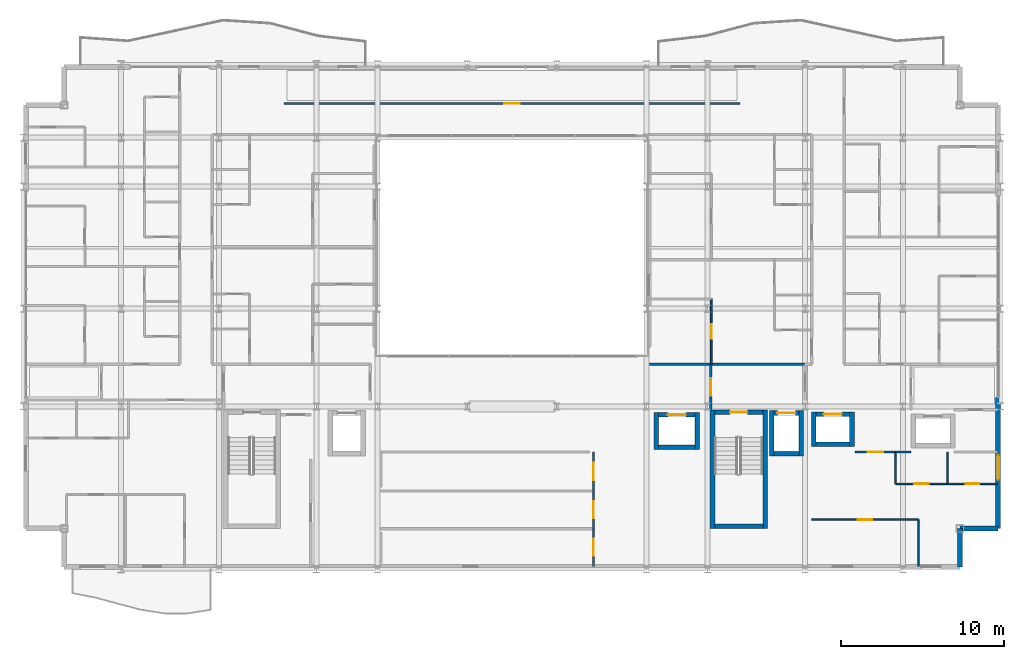
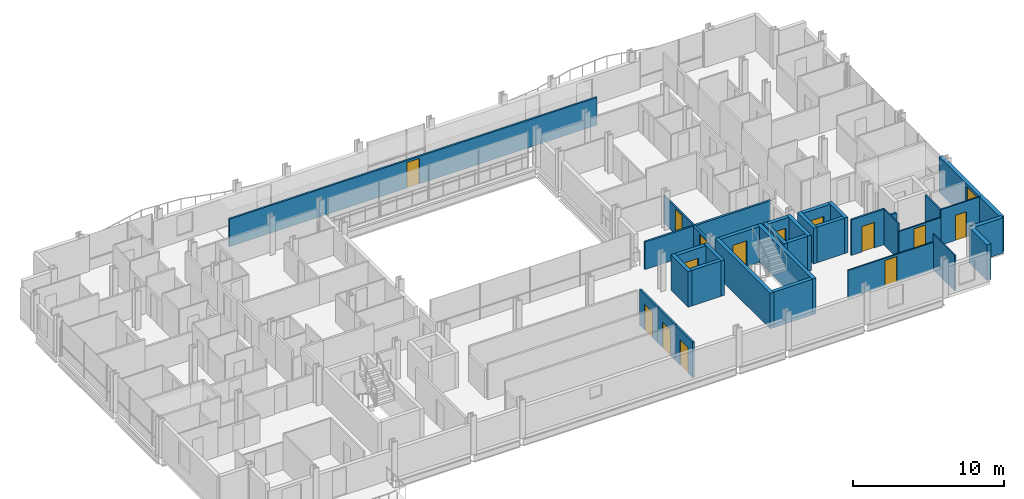
# One storey, part 34 of 41: 35 walls, 14 doors, 1 window, 15 openings.
"""IFC4 building model written with IfcOpenShell, lengths in metres."""

import ifcopenshell
import ifcopenshell.guid

model = None  # the IFC model being written
_history = None  # IfcOwnerHistory: only IFC2X3 demands one
_inside = {}  # id of a spatial element -> (the spatial element, [elements in it])
_under = {}  # id of a project, library or spatial element -> (it, [spatial elements below it])
_declared = {}  # id of a project -> (the project, [libraries it declares])
_typed = {}  # id of a type object -> (the type object, [elements of that type])
_made_of = {}  # id of a material, layer set ... -> (it, [elements and type objects made of it])


def new_model(schema):
    """Start an empty IFC model of exactly this schema.

    Asked for "IFC4X3", IfcOpenShell would pick the latest addendum, in which some entities
    have other attributes; the version numbers below select the first issue.
    IFC2X3 requires an IfcOwnerHistory on every rooted entity: one is made here for all.
    """
    global model, _history
    if schema == "IFC4X3":
        model = ifcopenshell.file(schema_version=(4, 3, 0, 0))
    else:
        model = ifcopenshell.file(schema=schema)
    _inside.clear()
    _under.clear()
    _declared.clear()
    _typed.clear()
    _made_of.clear()
    _history = None
    if model.schema == "IFC2X3":
        org = make("IfcOrganization", Name="unknown")
        user = make(
            "IfcPersonAndOrganization",
            ThePerson=make("IfcPerson", FamilyName="unknown"),
            TheOrganization=org,
        )
        app = make(
            "IfcApplication",
            ApplicationDeveloper=org,
            Version="unknown",
            ApplicationFullName="unknown",
            ApplicationIdentifier="unknown",
        )
        _history = make(
            "IfcOwnerHistory",
            OwningUser=user,
            OwningApplication=app,
            ChangeAction="ADDED",
            CreationDate=0,
        )
    return model


def make(cls, **values):
    """One entity of the class cls with the attributes given. An attribute that is None is left unset."""
    return model.create_entity(
        cls, **{name: value for name, value in values.items() if value is not None}
    )


def rooted(cls, **values):
    """An entity with a GlobalId (a new one), such as an element, a storey or a relation."""
    return make(cls, GlobalId=ifcopenshell.guid.new(), OwnerHistory=_history, **values)


def si_unit(unit_type, name, prefix=None):
    """IfcSIUnit, for example si_unit("LENGTHUNIT", "METRE", prefix="MILLI")."""
    return make("IfcSIUnit", UnitType=unit_type, Prefix=prefix, Name=name)


def assignment(units):
    """IfcUnitAssignment: the units of a project."""
    return None if units is None else make("IfcUnitAssignment", Units=units)


def point(xyz):
    """IfcCartesianPoint."""
    return None if xyz is None else make("IfcCartesianPoint", Coordinates=xyz)


def direction(xyz):
    """IfcDirection."""
    return None if xyz is None else make("IfcDirection", DirectionRatios=xyz)


def frame(location, z_axis=None, x_axis=None):
    """IfcAxis2Placement3D, a coordinate frame: its origin and axes. An axis left out is left unset."""
    return make(
        "IfcAxis2Placement3D",
        Location=point(location),
        Axis=direction(z_axis),
        RefDirection=direction(x_axis),
    )


def frame_2d(location, x_axis=None):
    """IfcAxis2Placement2D, a coordinate frame in the plane: its origin and x axis."""
    return make(
        "IfcAxis2Placement2D", Location=point(location), RefDirection=direction(x_axis)
    )


def origin():
    """The frame at (0, 0, 0) with its axes left unset."""
    return frame((0.0, 0.0, 0.0))


def place(relative_to, where):
    """IfcLocalPlacement: puts the frame where relative to a parent placement (None: the world)."""
    return make(
        "IfcLocalPlacement", PlacementRelTo=relative_to, RelativePlacement=where
    )


def context(
    kind, dimensions, precision=None, world=None, true_north=None, identifier=None
):
    """IfcGeometricRepresentationContext, for example the 3D "Model" context."""
    return make(
        "IfcGeometricRepresentationContext",
        ContextIdentifier=identifier,
        ContextType=kind,
        CoordinateSpaceDimension=dimensions,
        Precision=precision,
        WorldCoordinateSystem=world,
        TrueNorth=true_north,
    )


def subcontext(parent, identifier, kind, view, scale=None):
    """IfcGeometricRepresentationSubContext, for example "Body" below "Model"."""
    return make(
        "IfcGeometricRepresentationSubContext",
        ContextIdentifier=identifier,
        ContextType=kind,
        ParentContext=parent,
        TargetScale=scale,
        TargetView=view,
    )


def project(units=None, contexts=None):
    """IfcProject with its units and contexts."""
    return rooted(
        "IfcProject",
        Name="project",
        RepresentationContexts=contexts,
        UnitsInContext=assignment(units),
    )


def spatial(cls, under=None, at=None, **own):
    """A site, building, storey or space (cls), placed at a placement, below another one or the project."""
    s = rooted(cls, ObjectPlacement=at, **own)
    if under is not None:
        _under.setdefault(under.id(), (under, []))[1].append(s)
    return s


def profile(cls, at=None, kind="AREA", **sizes):
    """A parametric profile (cls). Its sizes go by their IFC names, for example OverallWidth=200.0."""
    return make(cls, ProfileType=kind, Position=at, **sizes)


def rectangle(**sizes):
    """IfcRectangleProfileDef."""
    return profile("IfcRectangleProfileDef", **sizes)


def extrude(swept, where, along, depth):
    """IfcExtrudedAreaSolid: the profile swept, set in the frame where, extruded along a direction by depth."""
    return make(
        "IfcExtrudedAreaSolid",
        SweptArea=swept,
        Position=where,
        ExtrudedDirection=direction(along),
        Depth=depth,
    )


def shape(context_of_items, identifier, shape_type, items):
    """IfcShapeRepresentation: the items that make up one representation, for example the "Body"."""
    return make(
        "IfcShapeRepresentation",
        ContextOfItems=context_of_items,
        RepresentationIdentifier=identifier,
        RepresentationType=shape_type,
        Items=items,
    )


def material(Name=None, Category=None):
    """IfcMaterial."""
    return make("IfcMaterial", Name=Name, Category=Category)


def layer(
    of_material, thickness, ventilated=None, Name=None, Category=None, Priority=None
):
    """IfcMaterialLayer: one layer of a wall or slab, of a material (None: an air gap)."""
    return make(
        "IfcMaterialLayer",
        Material=of_material,
        LayerThickness=thickness,
        IsVentilated=ventilated,
        Name=Name,
        Category=Category,
        Priority=Priority,
    )


def layer_set(layers, Name=None):
    """IfcMaterialLayerSet."""
    return make("IfcMaterialLayerSet", MaterialLayers=layers, LayerSetName=Name)


def made_of(thing, what):
    """Note that an element or type object is made of a material, layer set ...; save() writes the relation."""
    if what is not None:
        _made_of.setdefault(what.id(), (what, []))[1].append(thing)
    return thing


def type_object(cls, material=None, **own):
    """A type object (cls), such as IfcWallType, which elements share."""
    return made_of(rooted(cls, **own), material)


def element(
    cls,
    number,
    at=None,
    inside=None,
    cuts=None,
    type_object=None,
    material=None,
    context=None,
    identifier="Body",
    shape_type=None,
    held_by="IfcProductDefinitionShape",
    body=None,
    shapes=None,
    **own,
):
    """One element of the class cls, such as IfcWall. Its Tag is "e" and its number.

    at: its placement. inside: the storey or other place that contains it. cuts: it is an
    opening in that element (IfcRelVoidsElement). A single representation is given by context,
    identifier, shape_type and body (its items); several are given by shapes. held_by: the class
    of the entity that holds the representations. save() writes the other relations.
    """
    e = rooted(cls, Tag="e%d" % number, ObjectPlacement=at, **own)
    if body is not None:
        shapes = [shape(context, identifier, shape_type, body)]
    if shapes is not None:
        e.Representation = make(held_by, Representations=shapes)
    if inside is not None:
        _inside.setdefault(inside.id(), (inside, []))[1].append(e)
    if cuts is not None:
        rooted(
            "IfcRelVoidsElement", RelatingBuildingElement=cuts, RelatedOpeningElement=e
        )
    if type_object is not None:
        _typed.setdefault(type_object.id(), (type_object, []))[1].append(e)
    return made_of(e, material)


def fill(opening, filler):
    """IfcRelFillsElement: the door or window that sits in an opening."""
    return rooted(
        "IfcRelFillsElement",
        RelatingOpeningElement=opening,
        RelatedBuildingElement=filler,
    )


def aggregate(whole, parts):
    """IfcRelAggregates: a whole, such as a stair, and the parts it consists of."""
    return rooted("IfcRelAggregates", RelatingObject=whole, RelatedObjects=parts)


def save(model, path):
    """Write the relations noted so far, then the file.

    IfcRelAggregates (storeys below a building ...), IfcRelContainedInSpatialStructure (elements
    in a storey), IfcRelDefinesByType, IfcRelAssociatesMaterial and IfcRelDeclares: one each for
    every whole, place, type object, material and project.
    """
    for whole, parts in _under.values():
        aggregate(whole, parts)
    for where, things in _inside.values():
        rooted(
            "IfcRelContainedInSpatialStructure",
            RelatedElements=things,
            RelatingStructure=where,
        )
    for kind, things in _typed.values():
        rooted("IfcRelDefinesByType", RelatedObjects=things, RelatingType=kind)
    for what, things in _made_of.values():
        rooted("IfcRelAssociatesMaterial", RelatedObjects=things, RelatingMaterial=what)
    for by, libraries in _declared.values():
        rooted("IfcRelDeclares", RelatingContext=by, RelatedDefinitions=libraries)
    model.write(path)


model = new_model("IFC4")

# Units and contexts
model_context = context("Model", 3, precision=1e-05, world=origin(), true_north=direction((0.0, 1.0)))
body_context = subcontext(model_context, "Body", "Model", "MODEL_VIEW")
ifc_project = project(units=[si_unit("LENGTHUNIT", "METRE"), si_unit("AREAUNIT", "SQUARE_METRE"), si_unit("VOLUMEUNIT", "CUBIC_METRE"), si_unit("PLANEANGLEUNIT", "RADIAN"), si_unit("MASSUNIT", "GRAM", prefix="KILO")], contexts=[model_context])

# Site, building, storey
site_placement = place(None, origin())
site = spatial("IfcSite", under=ifc_project, at=site_placement, CompositionType="ELEMENT")
building_placement = place(site_placement, origin())
building = spatial("IfcBuilding", under=site, at=building_placement, Name="Brevholm Reach", CompositionType="ELEMENT")
storey_placement = place(building_placement, frame((0.0, 0.0, 86.89990234375)))
storey = spatial("IfcBuildingStorey", under=building, at=storey_placement, Name="L25", CompositionType="ELEMENT", Elevation=86.89990234375)

# Walls
ifc_material_1 = material(Name="Concrete C50/60", Category="concrete")
ifc_layer_1 = layer(ifc_material_1, 0.280029296875)
ifc_layer_set_1 = layer_set([ifc_layer_1], Name="Concrete C50/60")
wall_type_1 = type_object("IfcWallType", Name="WAL-COR-280", PredefinedType="SHEAR", material=ifc_layer_set_1)
for number, where, z_axis, x_axis, name in (
    (1, (42.31005859375, 2.5, 0.0), (0.0, 0.0, 1.0), (0.0, 1.0, 0.0), "L25 Escape Stair ST-2 Core Wall W"),
    (2, (45.5400390625, 2.5, 0.0), (0.0, 0.0, 1.0), (0.0, 1.0, 0.0), "L25 Escape Stair ST-2 Core Wall E"),
):
    element("IfcWall", number, at=place(storey_placement, frame(where, z_axis=z_axis, x_axis=x_axis)), inside=storey, type_object=wall_type_1, Name=name, PredefinedType="SHEAR", context=body_context, shape_type="SweptSolid", body=[
        extrude(rectangle(XDim=7.280029296875, YDim=0.280029296875, at=frame_2d((3.64013671875, 0.0))), origin(), (0.0, 0.0, 1.0), 2.8701171875),
    ])
wall_1_placement = place(storey_placement, frame((42.449951171875, 2.639892578125, 0.0), z_axis=(0.0, 0.0, 1.0), x_axis=(1.0, 0.0, 0.0)))
element("IfcWall", 3, at=wall_1_placement, inside=storey, type_object=wall_type_1, Name="L25 Escape Stair ST-2 Core Wall S", PredefinedType="SHEAR", context=body_context, shape_type="SweptSolid", body=[
    extrude(rectangle(XDim=2.949951171875, YDim=0.280029296875, at=frame_2d((1.47509765625, 0.0))), origin(), (0.0, 0.0, 1.0), 2.8701171875),
])

# Wall, opening, door
wall_2_placement = place(storey_placement, frame((45.39990234375, 9.639892578125, 0.0), z_axis=(0.0, 0.0, 1.0), x_axis=(-1.0, 0.0, 0.0)))
wall_2 = element("IfcWall", 4, at=wall_2_placement, inside=storey, type_object=wall_type_1, Name="L25 Escape Stair ST-2 Core Wall N", PredefinedType="SHEAR", context=body_context, shape_type="SweptSolid", body=[
    extrude(rectangle(XDim=2.949951171875, YDim=0.280029296875, at=frame_2d((1.47509765625, 0.0))), origin(), (0.0, 0.0, 1.0), 2.8701171875),
])
opening_1_placement = place(wall_2_placement, frame((0.949951171875, 0.0, 0.0)))
opening_1 = element("IfcOpeningElement", 5, at=opening_1_placement, cuts=wall_2, Name="Opening SD-ST-2", PredefinedType="OPENING", context=body_context, shape_type="SweptSolid", body=[
    extrude(rectangle(XDim=1.050048828125, YDim=2.06005859375, at=frame_2d((0.52490234375, 1.030029296875))), frame((0.0, 0.14990234375, 0.0), z_axis=(0.0, -1.0, 0.0), x_axis=(1.0, 0.0, 0.0)), (0.0, 0.0, 1.0), 0.300048828125),
])
ifc_material_2 = material(Name="Hardwood-Lipped Steel-Core Fire and Smoke Door", Category="steel")
door_type_1 = type_object("IfcDoorType", Name="DOR-INT-FD60S", OperationType="NOTDEFINED", PredefinedType="DOOR", material=ifc_material_2)
door_1_placement = place(opening_1_placement, origin())
door_1 = element("IfcDoor", 6, at=door_1_placement, inside=storey, type_object=door_type_1, Name="L25 Protected Stair ST-2 Lobby Door", OperationType="SINGLE_SWING_RIGHT", OverallHeight=2.06005859375, OverallWidth=1.050048828125, PredefinedType="DOOR", context=body_context, shape_type="SweptSolid", body=[
    extrude(rectangle(XDim=1.050048828125, YDim=2.06005859375, at=frame_2d((0.52490234375, 1.030029296875))), frame((0.0, 0.02490234375, 0.0), z_axis=(0.0, -1.0, 0.0), x_axis=(1.0, 0.0, 0.0)), (0.0, 0.0, 1.0), 0.050048828125),
])
fill(opening_1, door_1)

# Walls
for number, where, z_axis, x_axis, name in (
    (7, (45.949951171875, 6.9599609375, 0.0), (0.0, 0.0, 1.0), (0.0, 1.0, 0.0), "L25 Lift FFL-2 Shaft Wall W"),
    (8, (47.75, 6.9599609375, 0.0), (0.0, 0.0, 1.0), (0.0, 1.0, 0.0), "L25 Lift FFL-2 Shaft Wall E"),
):
    element("IfcWall", number, at=place(storey_placement, frame(where, z_axis=z_axis, x_axis=x_axis)), inside=storey, type_object=wall_type_1, Name=name, PredefinedType="SHEAR", context=body_context, shape_type="SweptSolid", body=[
        extrude(rectangle(XDim=2.780029296875, YDim=0.280029296875, at=frame_2d((1.39013671875, 0.0))), origin(), (0.0, 0.0, 1.0), 2.8701171875),
    ])
wall_3_placement = place(storey_placement, frame((46.090087890625, 7.10009765625, 0.0), z_axis=(0.0, 0.0, 1.0), x_axis=(1.0, 0.0, 0.0)))
element("IfcWall", 9, at=wall_3_placement, inside=storey, type_object=wall_type_1, Name="L25 Lift FFL-2 Shaft Wall S", PredefinedType="SHEAR", context=body_context, shape_type="SweptSolid", body=[
    extrude(rectangle(XDim=1.52001953125, YDim=0.280029296875, at=frame_2d((0.760009765625, 0.0))), origin(), (0.0, 0.0, 1.0), 2.8701171875),
])

# Wall, opening, door
wall_4_placement = place(storey_placement, frame((46.090087890625, 9.60009765625, 0.0), z_axis=(0.0, 0.0, 1.0), x_axis=(1.0, 0.0, 0.0)))
wall_4 = element("IfcWall", 10, at=wall_4_placement, inside=storey, type_object=wall_type_1, Name="L25 Lift FFL-2 Shaft Wall N", PredefinedType="SHEAR", context=body_context, shape_type="SweptSolid", body=[
    extrude(rectangle(XDim=1.52001953125, YDim=0.280029296875, at=frame_2d((0.760009765625, 0.0))), origin(), (0.0, 0.0, 1.0), 2.8701171875),
])
opening_2_placement = place(wall_4_placement, frame((0.2099609375, 0.0, 0.0)))
opening_2 = element("IfcOpeningElement", 11, at=opening_2_placement, cuts=wall_4, Name="Opening LD-FFL-2", PredefinedType="OPENING", context=body_context, shape_type="SweptSolid", body=[
    extrude(rectangle(XDim=1.10009765625, YDim=2.06005859375, at=frame_2d((0.550048828125, 1.030029296875))), frame((0.0, 0.14990234375, 0.0), z_axis=(0.0, -1.0, 0.0), x_axis=(1.0, 0.0, 0.0)), (0.0, 0.0, 1.0), 0.300048828125),
])
ifc_material_3 = material(Name="Brushed Stainless Steel Fire-Rated Sliding Lift Door", Category="steel")
door_type_2 = type_object("IfcDoorType", Name="DOR-LFT-1100", OperationType="NOTDEFINED", PredefinedType="DOOR", material=ifc_material_3)
door_2_placement = place(opening_2_placement, origin())
door_2 = element("IfcDoor", 12, at=door_2_placement, inside=storey, type_object=door_type_2, Name="L25 Lift FFL-2 Sliding Landing Door", OperationType="SLIDING_TO_RIGHT", OverallHeight=2.06005859375, OverallWidth=1.10009765625, PredefinedType="DOOR", context=body_context, shape_type="SweptSolid", body=[
    extrude(rectangle(XDim=1.10009765625, YDim=2.06005859375, at=frame_2d((0.550048828125, 1.030029296875))), frame((0.0, 0.02490234375, 0.0), z_axis=(0.0, -1.0, 0.0), x_axis=(1.0, 0.0, 0.0)), (0.0, 0.0, 1.0), 0.050048828125),
])
fill(opening_2, door_2)

# Walls
for number, where, z_axis, x_axis, name in (
    (13, (48.52490234375, 7.534912109375, 0.0), (0.0, 0.0, 1.0), (0.0, 1.0, 0.0), "L25 Lift PL-L1 Shaft Wall W"),
    (14, (50.875, 7.534912109375, 0.0), (0.0, 0.0, 1.0), (0.0, 1.0, 0.0), "L25 Lift PL-L1 Shaft Wall E"),
):
    element("IfcWall", number, at=place(storey_placement, frame(where, z_axis=z_axis, x_axis=x_axis)), inside=storey, type_object=wall_type_1, Name=name, PredefinedType="SHEAR", context=body_context, shape_type="SweptSolid", body=[
        extrude(rectangle(XDim=2.130126953125, YDim=0.280029296875, at=frame_2d((1.06494140625, 0.0))), origin(), (0.0, 0.0, 1.0), 2.8701171875),
    ])
wall_5_placement = place(storey_placement, frame((48.6650390625, 7.675048828125, 0.0), z_axis=(0.0, 0.0, 1.0), x_axis=(1.0, 0.0, 0.0)))
element("IfcWall", 15, at=wall_5_placement, inside=storey, type_object=wall_type_1, Name="L25 Lift PL-L1 Shaft Wall S", PredefinedType="SHEAR", context=body_context, shape_type="SweptSolid", body=[
    extrude(rectangle(XDim=2.070068359375, YDim=0.280029296875, at=frame_2d((1.03515625, 0.0))), origin(), (0.0, 0.0, 1.0), 2.8701171875),
])

# Wall, opening, door
wall_6_placement = place(storey_placement, frame((48.6650390625, 9.52490234375, 0.0), z_axis=(0.0, 0.0, 1.0), x_axis=(1.0, 0.0, 0.0)))
wall_6 = element("IfcWall", 16, at=wall_6_placement, inside=storey, type_object=wall_type_1, Name="L25 Lift PL-L1 Shaft Wall N", PredefinedType="SHEAR", context=body_context, shape_type="SweptSolid", body=[
    extrude(rectangle(XDim=2.070068359375, YDim=0.280029296875, at=frame_2d((1.03515625, 0.0))), origin(), (0.0, 0.0, 1.0), 2.8701171875),
])
opening_3_placement = place(wall_6_placement, frame((0.485107421875, 0.0, 0.0)))
opening_3 = element("IfcOpeningElement", 17, at=opening_3_placement, cuts=wall_6, Name="Opening LD-PL-L1", PredefinedType="OPENING", context=body_context, shape_type="SweptSolid", body=[
    extrude(rectangle(XDim=1.10009765625, YDim=2.06005859375, at=frame_2d((0.550048828125, 1.030029296875))), frame((0.0, 0.14990234375, 0.0), z_axis=(0.0, -1.0, 0.0), x_axis=(1.0, 0.0, 0.0)), (0.0, 0.0, 1.0), 0.300048828125),
])
door_3_placement = place(opening_3_placement, origin())
door_3 = element("IfcDoor", 18, at=door_3_placement, inside=storey, type_object=door_type_2, Name="L25 Lift PL-L1 Sliding Landing Door", OperationType="SLIDING_TO_LEFT", OverallHeight=2.06005859375, OverallWidth=1.10009765625, PredefinedType="DOOR", context=body_context, shape_type="SweptSolid", body=[
    extrude(rectangle(XDim=1.10009765625, YDim=2.06005859375, at=frame_2d((0.550048828125, 1.030029296875))), frame((0.0, 0.02490234375, 0.0), z_axis=(0.0, -1.0, 0.0), x_axis=(1.0, 0.0, 0.0)), (0.0, 0.0, 1.0), 0.050048828125),
])
fill(opening_3, door_3)

# Walls
for number, where, z_axis, x_axis, name in (
    (19, (38.8701171875, 7.360107421875, 0.0), (0.0, 0.0, 1.0), (0.0, 1.0, 0.0), "L25 Lift PL-S1 Shaft Wall W"),
    (20, (41.3701171875, 7.360107421875, 0.0), (0.0, 0.0, 1.0), (0.0, 1.0, 0.0), "L25 Lift PL-S1 Shaft Wall E"),
):
    element("IfcWall", number, at=place(storey_placement, frame(where, z_axis=z_axis, x_axis=x_axis)), inside=storey, type_object=wall_type_1, Name=name, PredefinedType="SHEAR", context=body_context, shape_type="SweptSolid", body=[
        extrude(rectangle(XDim=2.27978515625, YDim=0.280029296875, at=frame_2d((1.139892578125, 0.0))), origin(), (0.0, 0.0, 1.0), 2.8701171875),
    ])
wall_7_placement = place(storey_placement, frame((39.010009765625, 7.5, 0.0), z_axis=(0.0, 0.0, 1.0), x_axis=(1.0, 0.0, 0.0)))
element("IfcWall", 21, at=wall_7_placement, inside=storey, type_object=wall_type_1, Name="L25 Lift PL-S1 Shaft Wall S", PredefinedType="SHEAR", context=body_context, shape_type="SweptSolid", body=[
    extrude(rectangle(XDim=2.219970703125, YDim=0.280029296875, at=frame_2d((1.10986328125, 0.0))), origin(), (0.0, 0.0, 1.0), 2.8701171875),
])

# Wall, opening, door
wall_8_placement = place(storey_placement, frame((39.010009765625, 9.5, 0.0), z_axis=(0.0, 0.0, 1.0), x_axis=(1.0, 0.0, 0.0)))
wall_8 = element("IfcWall", 22, at=wall_8_placement, inside=storey, type_object=wall_type_1, Name="L25 Lift PL-S1 Shaft Wall N", PredefinedType="SHEAR", context=body_context, shape_type="SweptSolid", body=[
    extrude(rectangle(XDim=2.219970703125, YDim=0.280029296875, at=frame_2d((1.10986328125, 0.0))), origin(), (0.0, 0.0, 1.0), 2.8701171875),
])
opening_4_placement = place(wall_8_placement, frame((0.56005859375, 0.0, 0.0)))
opening_4 = element("IfcOpeningElement", 23, at=opening_4_placement, cuts=wall_8, Name="Opening LD-PL-S1", PredefinedType="OPENING", context=body_context, shape_type="SweptSolid", body=[
    extrude(rectangle(XDim=1.10009765625, YDim=2.06005859375, at=frame_2d((0.550048828125, 1.030029296875))), frame((0.0, 0.14990234375, 0.0), z_axis=(0.0, -1.0, 0.0), x_axis=(1.0, 0.0, 0.0)), (0.0, 0.0, 1.0), 0.300048828125),
])
door_4_placement = place(opening_4_placement, origin())
door_4 = element("IfcDoor", 24, at=door_4_placement, inside=storey, type_object=door_type_2, Name="L25 Lift PL-S1 Sliding Landing Door", OperationType="SLIDING_TO_LEFT", OverallHeight=2.06005859375, OverallWidth=1.10009765625, PredefinedType="DOOR", context=body_context, shape_type="SweptSolid", body=[
    extrude(rectangle(XDim=1.10009765625, YDim=2.06005859375, at=frame_2d((0.550048828125, 1.030029296875))), frame((0.0, 0.02490234375, 0.0), z_axis=(0.0, -1.0, 0.0), x_axis=(1.0, 0.0, 0.0)), (0.0, 0.0, 1.0), 0.050048828125),
])
fill(opening_4, door_4)

# Walls
ifc_material_4 = material(Name="Concrete C40/50", Category="concrete")
ifc_layer_2 = layer(ifc_material_4, 0.300048828125)
ifc_layer_set_2 = layer_set([ifc_layer_2], Name="Concrete C40/50")
wall_type_2 = type_object("IfcWallType", Name="WAL-EXT-300", PredefinedType="STANDARD", material=ifc_layer_set_2)
for number, where, z_axis, x_axis, name in (
    (25, (57.5, 0.14990234375, 0.0), (0.0, 0.0, 1.0), (0.0, 1.0, 0.0), "L25 Facade Wall WAL-L25-CSE1"),
    (26, (57.5, 2.5, 0.0), (0.0, 0.0, 1.0), (1.0, 0.0, 0.0), "L25 Facade Wall WAL-L25-CSE2"),
):
    element("IfcWall", number, at=place(storey_placement, frame(where, z_axis=z_axis, x_axis=x_axis)), inside=storey, type_object=wall_type_2, Name=name, PredefinedType="STANDARD", context=body_context, shape_type="SweptSolid", body=[
        extrude(rectangle(XDim=2.35009765625, YDim=0.300048828125, at=frame_2d((1.175048828125, 0.0))), origin(), (0.0, 0.0, 1.0), 2.8701171875),
    ])

# Wall, opening, window
wall_9_placement = place(storey_placement, frame((59.85009765625, 2.5, 0.0), z_axis=(0.0, 0.0, 1.0), x_axis=(0.0, 1.0, 0.0)))
wall_9 = element("IfcWall", 27, at=wall_9_placement, inside=storey, type_object=wall_type_2, Name="L25 Facade Wall WAL-L25-E-S", PredefinedType="STANDARD", context=body_context, shape_type="SweptSolid", body=[
    extrude(rectangle(XDim=8.050048828125, YDim=0.300048828125, at=frame_2d((4.02490234375, 0.0))), origin(), (0.0, 0.0, 1.0), 2.8701171875),
])
opening_5_placement = place(wall_9_placement, frame((3.0, 0.0, 0.85009765625)))
opening_5 = element("IfcOpeningElement", 28, at=opening_5_placement, cuts=wall_9, Name="Opening WN-05", PredefinedType="OPENING", context=body_context, shape_type="SweptSolid", body=[
    extrude(rectangle(XDim=1.5, YDim=1.800048828125, at=frame_2d((0.75, 0.89990234375))), frame((0.0, 0.159912109375, 0.0), z_axis=(0.0, -1.0, 0.0), x_axis=(1.0, 0.0, 0.0)), (0.0, 0.0, 1.0), 0.320068359375),
])
ifc_material_5 = material(Name="Dark Anodised Aluminium and Solar-Control IGU Glass", Category="aluminium")
window_type = type_object("IfcWindowType", Name="WIN-RES-1500", PartitioningType="SINGLE_PANEL", PredefinedType="WINDOW", material=ifc_material_5)
window_placement = place(opening_5_placement, origin())
window = element("IfcWindow", 29, at=window_placement, inside=storey, type_object=window_type, Name="L25 Window WIN-L25-ES-1", OverallHeight=1.800048828125, OverallWidth=1.5, PartitioningType="SINGLE_PANEL", PredefinedType="WINDOW", context=body_context, shape_type="SweptSolid", body=[
    extrude(rectangle(XDim=1.5, YDim=1.800048828125, at=frame_2d((0.75, 0.89990234375))), frame((0.0, 0.030029296875, 0.0), z_axis=(0.0, -1.0, 0.0), x_axis=(1.0, 0.0, 0.0)), (0.0, 0.0, 1.0), 0.06005859375),
])
fill(opening_5, window)

# Wall
ifc_material_6 = material(Name="Moisture-Resistant Acoustic Gypsum Stud Partition 100 mm", Category="gypsum")
ifc_layer_3 = layer(ifc_material_6, 0.10009765625)
ifc_layer_set_3 = layer_set([ifc_layer_3], Name="Moisture-Resistant Acoustic Gypsum Stud Partition 100 mm")
wall_type_3 = type_object("IfcWallType", Name="WAL-PRT-100", PredefinedType="PARTITIONING", material=ifc_layer_set_3)
wall_10_placement = place(storey_placement, frame((56.75, 5.25, 0.0), z_axis=(0.0, 0.0, 1.0), x_axis=(0.0, 1.0, 0.0)))
element("IfcWall", 30, at=wall_10_placement, inside=storey, type_object=wall_type_3, Name="L25 Internal Partition 079", PredefinedType="PARTITIONING", context=body_context, shape_type="SweptSolid", body=[
    extrude(rectangle(XDim=1.949951171875, YDim=0.10009765625, at=frame_2d((0.97509765625, 0.0))), origin(), (0.0, 0.0, 1.0), 2.8701171875),
])

# Wall, opening, door
wall_11_placement = place(storey_placement, frame((56.75, 5.25, 0.0), z_axis=(0.0, 0.0, 1.0), x_axis=(1.0, 0.0, 0.0)))
wall_11 = element("IfcWall", 31, at=wall_11_placement, inside=storey, type_object=wall_type_3, Name="L25 Internal Partition 080", PredefinedType="PARTITIONING", context=body_context, shape_type="SweptSolid", body=[
    extrude(rectangle(XDim=3.050048828125, YDim=0.10009765625, at=frame_2d((1.52490234375, 0.0))), origin(), (0.0, 0.0, 1.0), 2.8701171875),
])
opening_6_placement = place(wall_11_placement, frame((1.114990234375, 0.0, 0.0)))
opening_6 = element("IfcOpeningElement", 32, at=opening_6_placement, cuts=wall_11, Name="Opening ID-03", PredefinedType="OPENING", context=body_context, shape_type="SweptSolid", body=[
    extrude(rectangle(XDim=0.820068359375, YDim=2.02001953125, at=frame_2d((0.41015625, 1.010009765625))), frame((0.0, 0.06005859375, 0.0), z_axis=(0.0, -1.0, 0.0), x_axis=(1.0, 0.0, 0.0)), (0.0, 0.0, 1.0), 0.1201171875),
])
ifc_material_7 = material(Name="Moisture-Resistant Painted Timber Internal Bathroom Door", Category="wood")
door_type_3 = type_object("IfcDoorType", Name="DOR-BATH-820", OperationType="NOTDEFINED", PredefinedType="DOOR", material=ifc_material_7)
door_5_placement = place(opening_6_placement, origin())
door_5 = element("IfcDoor", 33, at=door_5_placement, inside=storey, type_object=door_type_3, Name="L25 Internal Door 028", OperationType="SINGLE_SWING_LEFT", OverallHeight=2.02001953125, OverallWidth=0.820068359375, PredefinedType="DOOR", context=body_context, shape_type="SweptSolid", body=[
    extrude(rectangle(XDim=0.820068359375, YDim=2.02001953125, at=frame_2d((0.41015625, 1.010009765625))), frame((0.0, 0.02490234375, 0.0), z_axis=(0.0, -1.0, 0.0), x_axis=(1.0, 0.0, 0.0)), (0.0, 0.0, 1.0), 0.050048828125),
])
fill(opening_6, door_5)

wall_12_placement = place(storey_placement, frame((53.55810546875, 5.25, 0.0), z_axis=(0.0, 0.0, 1.0), x_axis=(1.0, 0.0, 0.0)))
wall_12 = element("IfcWall", 34, at=wall_12_placement, inside=storey, type_object=wall_type_3, Name="L25 Internal Partition 081", PredefinedType="PARTITIONING", context=body_context, shape_type="SweptSolid", body=[
    extrude(rectangle(XDim=3.18798828125, YDim=0.10009765625, at=frame_2d((1.593994140625, 0.0))), origin(), (0.0, 0.0, 1.0), 2.224853515625),
])
opening_7_placement = place(wall_12_placement, frame((1.154052734375, 0.0, 0.0)))
opening_7 = element("IfcOpeningElement", 35, at=opening_7_placement, cuts=wall_12, Name="Opening ID-01", PredefinedType="OPENING", context=body_context, shape_type="SweptSolid", body=[
    extrude(rectangle(XDim=0.8798828125, YDim=2.0400390625, at=frame_2d((0.43994140625, 1.02001953125))), frame((0.0, 0.06005859375, 0.0), z_axis=(0.0, -1.0, 0.0), x_axis=(1.0, 0.0, 0.0)), (0.0, 0.0, 1.0), 0.1201171875),
])
ifc_material_8 = material(Name="Lacquered Ash Solid-Core Acoustic Internal Door", Category="timber")
door_type_4 = type_object("IfcDoorType", Name="DOR-INT-880", OperationType="NOTDEFINED", PredefinedType="DOOR", material=ifc_material_8)
door_6_placement = place(opening_7_placement, origin())
door_6 = element("IfcDoor", 36, at=door_6_placement, inside=storey, type_object=door_type_4, Name="L25 Internal Door 029", OperationType="SINGLE_SWING_RIGHT", OverallHeight=2.0400390625, OverallWidth=0.8798828125, PredefinedType="DOOR", context=body_context, shape_type="SweptSolid", body=[
    extrude(rectangle(XDim=0.8798828125, YDim=2.0400390625, at=frame_2d((0.43994140625, 1.02001953125))), frame((0.0, 0.02490234375, 0.0), z_axis=(0.0, -1.0, 0.0), x_axis=(1.0, 0.0, 0.0)), (0.0, 0.0, 1.0), 0.050048828125),
])
fill(opening_7, door_6)

# Walls
wall_13_placement = place(storey_placement, frame((53.55810546875, 5.25, 0.0), z_axis=(0.0, 0.0, 1.0), x_axis=(0.0, 1.0, 0.0)))
element("IfcWall", 37, at=wall_13_placement, inside=storey, type_object=wall_type_3, Name="L25 Internal Partition 082", PredefinedType="PARTITIONING", context=body_context, shape_type="SweptSolid", body=[
    extrude(rectangle(XDim=1.946044921875, YDim=0.10009765625, at=frame_2d((0.97314453125, 0.0))), origin(), (0.0, 0.0, 1.0), 2.8701171875),
])
wall_14_placement = place(storey_placement, frame((54.949951171875, 0.199951171875, 0.0), z_axis=(0.0, 0.0, 1.0), x_axis=(0.0, 1.0, 0.0)))
element("IfcWall", 38, at=wall_14_placement, inside=storey, type_object=wall_type_3, Name="L25 Internal Partition 083", PredefinedType="PARTITIONING", context=body_context, shape_type="SweptSolid", body=[
    extrude(rectangle(XDim=2.85009765625, YDim=0.10009765625, at=frame_2d((1.425048828125, 0.0))), origin(), (0.0, 0.0, 1.0), 2.8701171875),
])

# Wall, opening, door
wall_15_placement = place(storey_placement, frame((48.39990234375, 3.050048828125, 0.0), z_axis=(0.0, 0.0, 1.0), x_axis=(1.0, 0.0, 0.0)))
wall_15 = element("IfcWall", 39, at=wall_15_placement, inside=storey, type_object=wall_type_3, Name="L25 Internal Partition 084", PredefinedType="PARTITIONING", context=body_context, shape_type="SweptSolid", body=[
    extrude(rectangle(XDim=6.550048828125, YDim=0.10009765625, at=frame_2d((3.27490234375, 0.0))), origin(), (0.0, 0.0, 1.0), 2.224853515625),
])
opening_8_placement = place(wall_15_placement, frame((2.8349609375, 0.0, 0.0)))
opening_8 = element("IfcOpeningElement", 40, at=opening_8_placement, cuts=wall_15, Name="Opening ID-01", PredefinedType="OPENING", context=body_context, shape_type="SweptSolid", body=[
    extrude(rectangle(XDim=0.8798828125, YDim=2.0400390625, at=frame_2d((0.43994140625, 1.02001953125))), frame((0.0, 0.06005859375, 0.0), z_axis=(0.0, -1.0, 0.0), x_axis=(1.0, 0.0, 0.0)), (0.0, 0.0, 1.0), 0.1201171875),
])
door_7_placement = place(opening_8_placement, origin())
door_7 = element("IfcDoor", 41, at=door_7_placement, inside=storey, type_object=door_type_4, Name="L25 Internal Door 030", OperationType="SINGLE_SWING_LEFT", OverallHeight=2.0400390625, OverallWidth=0.8798828125, PredefinedType="DOOR", context=body_context, shape_type="SweptSolid", body=[
    extrude(rectangle(XDim=0.8798828125, YDim=2.0400390625, at=frame_2d((0.43994140625, 1.02001953125))), frame((0.0, 0.02490234375, 0.0), z_axis=(0.0, -1.0, 0.0), x_axis=(1.0, 0.0, 0.0)), (0.0, 0.0, 1.0), 0.050048828125),
])
fill(opening_8, door_7)

wall_16_placement = place(storey_placement, frame((42.23095703125, 12.60400390625, 0.0), z_axis=(0.0, 0.0, 1.0), x_axis=(0.0, 1.0, 0.0)))
wall_16 = element("IfcWall", 42, at=wall_16_placement, inside=storey, type_object=wall_type_3, Name="L25 Internal Partition 130", PredefinedType="PARTITIONING", context=body_context, shape_type="SweptSolid", body=[
    extrude(rectangle(XDim=3.99609375, YDim=0.10009765625, at=frame_2d((1.998046875, 0.0))), origin(), (0.0, 0.0, 1.0), 2.224853515625),
])
opening_9_placement = place(wall_16_placement, frame((1.55810546875, 0.0, 0.0)))
opening_9 = element("IfcOpeningElement", 43, at=opening_9_placement, cuts=wall_16, Name="Opening ID-01", PredefinedType="OPENING", context=body_context, shape_type="SweptSolid", body=[
    extrude(rectangle(XDim=0.8798828125, YDim=2.0400390625, at=frame_2d((0.43994140625, 1.02001953125))), frame((0.0, 0.06005859375, 0.0), z_axis=(0.0, -1.0, 0.0), x_axis=(1.0, 0.0, 0.0)), (0.0, 0.0, 1.0), 0.1201171875),
])
door_8_placement = place(opening_9_placement, origin())
door_8 = element("IfcDoor", 44, at=door_8_placement, inside=storey, type_object=door_type_4, Name="L25 Internal Door 049", OperationType="SINGLE_SWING_RIGHT", OverallHeight=2.0400390625, OverallWidth=0.8798828125, PredefinedType="DOOR", context=body_context, shape_type="SweptSolid", body=[
    extrude(rectangle(XDim=0.8798828125, YDim=2.0400390625, at=frame_2d((0.43994140625, 1.02001953125))), frame((0.0, 0.02490234375, 0.0), z_axis=(0.0, -1.0, 0.0), x_axis=(1.0, 0.0, 0.0)), (0.0, 0.0, 1.0), 0.050048828125),
])
fill(opening_9, door_8)

ifc_material_9 = material(Name="Twin-Stud Acoustic Fire-Rated Gypsum Partition 140 mm", Category="gypsum")
ifc_layer_4 = layer(ifc_material_9, 0.139892578125)
ifc_layer_set_4 = layer_set([ifc_layer_4], Name="Twin-Stud Acoustic Fire-Rated Gypsum Partition 140 mm")
wall_type_4 = type_object("IfcWallType", Name="WAL-PRT-140", PredefinedType="PARTITIONING", material=ifc_layer_set_4)
wall_17_placement = place(storey_placement, frame((35.0, 0.179931640625, 0.0), z_axis=(0.0, 0.0, 1.0), x_axis=(0.0, 1.0, 0.0)))
wall_17 = element("IfcWall", 45, at=wall_17_placement, inside=storey, type_object=wall_type_4, Name="L25 Internal Partition 001", PredefinedType="PARTITIONING", context=body_context, shape_type="SweptSolid", body=[
    extrude(rectangle(XDim=2.328369140625, YDim=0.139892578125, at=frame_2d((1.1640625, 0.0))), origin(), (0.0, 0.0, 1.0), 2.8701171875),
])
opening_10_placement = place(wall_17_placement, frame((0.63916015625, 0.0, 0.0)))
opening_10 = element("IfcOpeningElement", 46, at=opening_10_placement, cuts=wall_17, Name="Opening FD-01", PredefinedType="OPENING", context=body_context, shape_type="SweptSolid", body=[
    extrude(rectangle(XDim=1.050048828125, YDim=2.06005859375, at=frame_2d((0.52490234375, 1.030029296875))), frame((0.0, 0.079833984375, 0.0), z_axis=(0.0, -1.0, 0.0), x_axis=(1.0, 0.0, 0.0)), (0.0, 0.0, 1.0), 0.159912109375),
])
door_9_placement = place(opening_10_placement, origin())
door_9 = element("IfcDoor", 47, at=door_9_placement, inside=storey, type_object=door_type_1, Name="L25 Internal Door 001", OperationType="SINGLE_SWING_RIGHT", OverallHeight=2.06005859375, OverallWidth=1.050048828125, PredefinedType="DOOR", context=body_context, shape_type="SweptSolid", body=[
    extrude(rectangle(XDim=1.050048828125, YDim=2.06005859375, at=frame_2d((0.52490234375, 1.030029296875))), frame((0.0, 0.02490234375, 0.0), z_axis=(0.0, -1.0, 0.0), x_axis=(1.0, 0.0, 0.0)), (0.0, 0.0, 1.0), 0.050048828125),
])
fill(opening_10, door_9)

wall_18_placement = place(storey_placement, frame((35.0, 2.48974609375, 0.0), z_axis=(0.0, 0.0, 1.0), x_axis=(0.0, 1.0, 0.0)))
wall_18 = element("IfcWall", 48, at=wall_18_placement, inside=storey, type_object=wall_type_4, Name="L25 Internal Partition 002", PredefinedType="PARTITIONING", context=body_context, shape_type="SweptSolid", body=[
    extrude(rectangle(XDim=2.33447265625, YDim=0.139892578125, at=frame_2d((1.167236328125, 0.0))), origin(), (0.0, 0.0, 1.0), 2.8701171875),
])
opening_11_placement = place(wall_18_placement, frame((0.642333984375, 0.0, 0.0)))
opening_11 = element("IfcOpeningElement", 49, at=opening_11_placement, cuts=wall_18, Name="Opening FD-01", PredefinedType="OPENING", context=body_context, shape_type="SweptSolid", body=[
    extrude(rectangle(XDim=1.050048828125, YDim=2.06005859375, at=frame_2d((0.52490234375, 1.030029296875))), frame((0.0, 0.079833984375, 0.0), z_axis=(0.0, -1.0, 0.0), x_axis=(1.0, 0.0, 0.0)), (0.0, 0.0, 1.0), 0.159912109375),
])
door_10_placement = place(opening_11_placement, origin())
door_10 = element("IfcDoor", 50, at=door_10_placement, inside=storey, type_object=door_type_1, Name="L25 Internal Door 002", OperationType="SINGLE_SWING_LEFT", OverallHeight=2.06005859375, OverallWidth=1.050048828125, PredefinedType="DOOR", context=body_context, shape_type="SweptSolid", body=[
    extrude(rectangle(XDim=1.050048828125, YDim=2.06005859375, at=frame_2d((0.52490234375, 1.030029296875))), frame((0.0, 0.02490234375, 0.0), z_axis=(0.0, -1.0, 0.0), x_axis=(1.0, 0.0, 0.0)), (0.0, 0.0, 1.0), 0.050048828125),
])
fill(opening_11, door_10)

wall_19_placement = place(storey_placement, frame((35.0, 4.8056640625, 0.0), z_axis=(0.0, 0.0, 1.0), x_axis=(0.0, 1.0, 0.0)))
wall_19 = element("IfcWall", 51, at=wall_19_placement, inside=storey, type_object=wall_type_4, Name="L25 Internal Partition 003", PredefinedType="PARTITIONING", context=body_context, shape_type="SweptSolid", body=[
    extrude(rectangle(XDim=2.405517578125, YDim=0.139892578125, at=frame_2d((1.20263671875, 0.0))), origin(), (0.0, 0.0, 1.0), 2.8701171875),
])
opening_12_placement = place(wall_19_placement, frame((0.677734375, 0.0, 0.0)))
opening_12 = element("IfcOpeningElement", 52, at=opening_12_placement, cuts=wall_19, Name="Opening FD-01", PredefinedType="OPENING", context=body_context, shape_type="SweptSolid", body=[
    extrude(rectangle(XDim=1.050048828125, YDim=2.06005859375, at=frame_2d((0.52490234375, 1.030029296875))), frame((0.0, 0.079833984375, 0.0), z_axis=(0.0, -1.0, 0.0), x_axis=(1.0, 0.0, 0.0)), (0.0, 0.0, 1.0), 0.159912109375),
])
door_11_placement = place(opening_12_placement, origin())
door_11 = element("IfcDoor", 53, at=door_11_placement, inside=storey, type_object=door_type_1, Name="L25 Internal Door 003", OperationType="SINGLE_SWING_RIGHT", OverallHeight=2.06005859375, OverallWidth=1.050048828125, PredefinedType="DOOR", context=body_context, shape_type="SweptSolid", body=[
    extrude(rectangle(XDim=1.050048828125, YDim=2.06005859375, at=frame_2d((0.52490234375, 1.030029296875))), frame((0.0, 0.02490234375, 0.0), z_axis=(0.0, -1.0, 0.0), x_axis=(1.0, 0.0, 0.0)), (0.0, 0.0, 1.0), 0.050048828125),
])
fill(opening_12, door_11)

# Wall
wall_20_placement = place(storey_placement, frame((53.546630859375, 7.199951171875, 0.0), z_axis=(0.0, 0.0, 1.0), x_axis=(1.0, 0.0, 0.0)))
element("IfcWall", 54, at=wall_20_placement, inside=storey, type_object=wall_type_4, Name="L25 Internal Partition 009", PredefinedType="PARTITIONING", context=body_context, shape_type="SweptSolid", body=[
    extrude(rectangle(XDim=0.953369140625, YDim=0.139892578125, at=frame_2d((0.4765625, 0.0))), origin(), (0.0, 0.0, 1.0), 2.224853515625),
])

# Wall, opening, door
wall_21_placement = place(storey_placement, frame((51.050048828125, 7.199951171875, 0.0), z_axis=(0.0, 0.0, 1.0), x_axis=(1.0, 0.0, 0.0)))
wall_21 = element("IfcWall", 55, at=wall_21_placement, inside=storey, type_object=wall_type_4, Name="L25 Internal Partition 010", PredefinedType="PARTITIONING", context=body_context, shape_type="SweptSolid", body=[
    extrude(rectangle(XDim=2.51513671875, YDim=0.139892578125, at=frame_2d((1.257568359375, 0.0))), origin(), (0.0, 0.0, 1.0), 2.8701171875),
])
opening_13_placement = place(wall_21_placement, frame((0.78271484375, 0.0, 0.0)))
opening_13 = element("IfcOpeningElement", 56, at=opening_13_placement, cuts=wall_21, Name="Opening ID-30", PredefinedType="OPENING", context=body_context, shape_type="SweptSolid", body=[
    extrude(rectangle(XDim=0.949951171875, YDim=2.050048828125, at=frame_2d((0.47509765625, 1.02490234375))), frame((0.0, 0.079833984375, 0.0), z_axis=(0.0, -1.0, 0.0), x_axis=(1.0, 0.0, 0.0)), (0.0, 0.0, 1.0), 0.159912109375),
])
ifc_material_10 = material(Name="European Oak Veneered Solid-Core Fire Entrance Door", Category="timber")
door_type_5 = type_object("IfcDoorType", Name="DOR-FLT-FD30S", OperationType="NOTDEFINED", PredefinedType="DOOR", material=ifc_material_10)
door_12_placement = place(opening_13_placement, origin())
door_12 = element("IfcDoor", 57, at=door_12_placement, inside=storey, type_object=door_type_5, Name="L25 Internal Door 007", OperationType="SINGLE_SWING_RIGHT", OverallHeight=2.050048828125, OverallWidth=0.949951171875, PredefinedType="DOOR", context=body_context, shape_type="SweptSolid", body=[
    extrude(rectangle(XDim=0.949951171875, YDim=2.050048828125, at=frame_2d((0.47509765625, 1.02490234375))), frame((0.0, 0.02490234375, 0.0), z_axis=(0.0, -1.0, 0.0), x_axis=(1.0, 0.0, 0.0)), (0.0, 0.0, 1.0), 0.050048828125),
])
fill(opening_13, door_12)

# Wall
wall_22_placement = place(storey_placement, frame((38.438720703125, 12.60009765625, 0.0), z_axis=(0.0, 0.0, 1.0), x_axis=(1.0, 0.0, 0.0)))
element("IfcWall", 58, at=wall_22_placement, inside=storey, type_object=wall_type_4, Name="L25 Internal Partition 027", PredefinedType="PARTITIONING", context=body_context, shape_type="SweptSolid", body=[
    extrude(rectangle(XDim=3.75732421875, YDim=0.139892578125, at=frame_2d((1.878662109375, 0.0))), origin(), (0.0, 0.0, 1.0), 2.224853515625),
])

# Wall, opening, door
wall_23_placement = place(storey_placement, frame((15.98876953125, 28.60009765625, 0.0), z_axis=(0.0, 0.0, 1.0), x_axis=(1.0, 0.0, 0.0)))
wall_23 = element("IfcWall", 59, at=wall_23_placement, inside=storey, type_object=wall_type_4, Name="L25 Internal Partition 061", PredefinedType="PARTITIONING", context=body_context, shape_type="SweptSolid", body=[
    extrude(rectangle(XDim=28.0224609375, YDim=0.139892578125, at=frame_2d((14.01123046875, 0.0))), origin(), (0.0, 0.0, 1.0), 2.224853515625),
])
opening_14_placement = place(wall_23_placement, frame((13.536376953125, 0.0, 0.0)))
opening_14 = element("IfcOpeningElement", 60, at=opening_14_placement, cuts=wall_23, Name="Opening ID-30", PredefinedType="OPENING", context=body_context, shape_type="SweptSolid", body=[
    extrude(rectangle(XDim=0.949951171875, YDim=2.050048828125, at=frame_2d((0.47509765625, 1.02490234375))), frame((0.0, 0.079833984375, 0.0), z_axis=(0.0, -1.0, 0.0), x_axis=(1.0, 0.0, 0.0)), (0.0, 0.0, 1.0), 0.159912109375),
])
door_13_placement = place(opening_14_placement, origin())
door_13 = element("IfcDoor", 61, at=door_13_placement, inside=storey, type_object=door_type_5, Name="L25 Internal Door 023", OperationType="SINGLE_SWING_RIGHT", OverallHeight=2.050048828125, OverallWidth=0.949951171875, PredefinedType="DOOR", context=body_context, shape_type="SweptSolid", body=[
    extrude(rectangle(XDim=0.949951171875, YDim=2.050048828125, at=frame_2d((0.47509765625, 1.02490234375))), frame((0.0, 0.02490234375, 0.0), z_axis=(0.0, -1.0, 0.0), x_axis=(1.0, 0.0, 0.0)), (0.0, 0.0, 1.0), 0.050048828125),
])
fill(opening_14, door_13)

ifc_material_11 = material(Name="Twin-Frame Fire-Rated Gypsum Board and Mineral Wool 160 mm", Category="gypsum")
ifc_layer_5 = layer(ifc_material_11, 0.159912109375)
ifc_layer_set_5 = layer_set([ifc_layer_5], Name="Twin-Frame Fire-Rated Gypsum Board and Mineral Wool 160 mm")
wall_type_5 = type_object("IfcWallType", Name="WAL-PRT-160", PredefinedType="PARTITIONING", material=ifc_layer_set_5)
wall_24_placement = place(storey_placement, frame((42.199951171875, 9.7900390625, 0.0), z_axis=(0.0, 0.0, 1.0), x_axis=(0.0, 1.0, 0.0)))
wall_24 = element("IfcWall", 62, at=wall_24_placement, inside=storey, type_object=wall_type_5, Name="L25 Internal Partition 019", PredefinedType="PARTITIONING", context=body_context, shape_type="SweptSolid", body=[
    extrude(rectangle(XDim=2.81005859375, YDim=0.159912109375, at=frame_2d((1.405029296875, 0.0))), origin(), (0.0, 0.0, 1.0), 2.224853515625),
])
opening_15_placement = place(wall_24_placement, frame((0.8798828125, 0.0, 0.0)))
opening_15 = element("IfcOpeningElement", 63, at=opening_15_placement, cuts=wall_24, Name="Opening FD-01", PredefinedType="OPENING", context=body_context, shape_type="SweptSolid", body=[
    extrude(rectangle(XDim=1.050048828125, YDim=2.06005859375, at=frame_2d((0.52490234375, 1.030029296875))), frame((0.0, 0.08984375, 0.0), z_axis=(0.0, -1.0, 0.0), x_axis=(1.0, 0.0, 0.0)), (0.0, 0.0, 1.0), 0.179931640625),
])
door_14_placement = place(opening_15_placement, origin())
door_14 = element("IfcDoor", 64, at=door_14_placement, inside=storey, type_object=door_type_1, Name="L25 Internal Door 011", OperationType="SINGLE_SWING_RIGHT", OverallHeight=2.06005859375, OverallWidth=1.050048828125, PredefinedType="DOOR", context=body_context, shape_type="SweptSolid", body=[
    extrude(rectangle(XDim=1.050048828125, YDim=2.06005859375, at=frame_2d((0.52490234375, 1.030029296875))), frame((0.0, 0.02490234375, 0.0), z_axis=(0.0, -1.0, 0.0), x_axis=(1.0, 0.0, 0.0)), (0.0, 0.0, 1.0), 0.050048828125),
])
fill(opening_15, door_14)

# Wall
wall_25_placement = place(storey_placement, frame((42.2236328125, 12.60009765625, 0.0), z_axis=(0.0, 0.0, 1.0), x_axis=(1.0, 0.0, 0.0)))
element("IfcWall", 65, at=wall_25_placement, inside=storey, type_object=wall_type_5, Name="L25 Internal Partition 021", PredefinedType="PARTITIONING", context=body_context, shape_type="SweptSolid", body=[
    extrude(rectangle(XDim=5.7763671875, YDim=0.159912109375, at=frame_2d((2.88818359375, 0.0))), origin(), (0.0, 0.0, 1.0), 2.224853515625),
])

save(model, "model.ifc")
